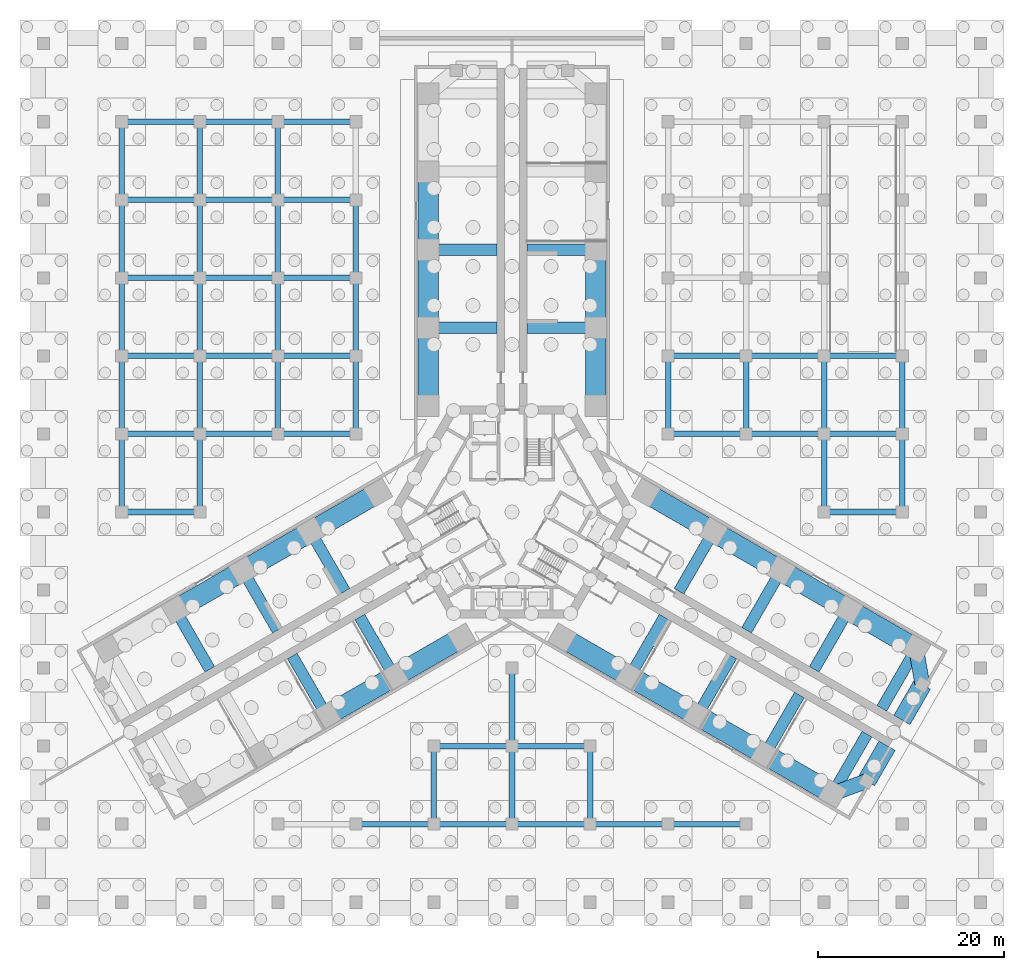
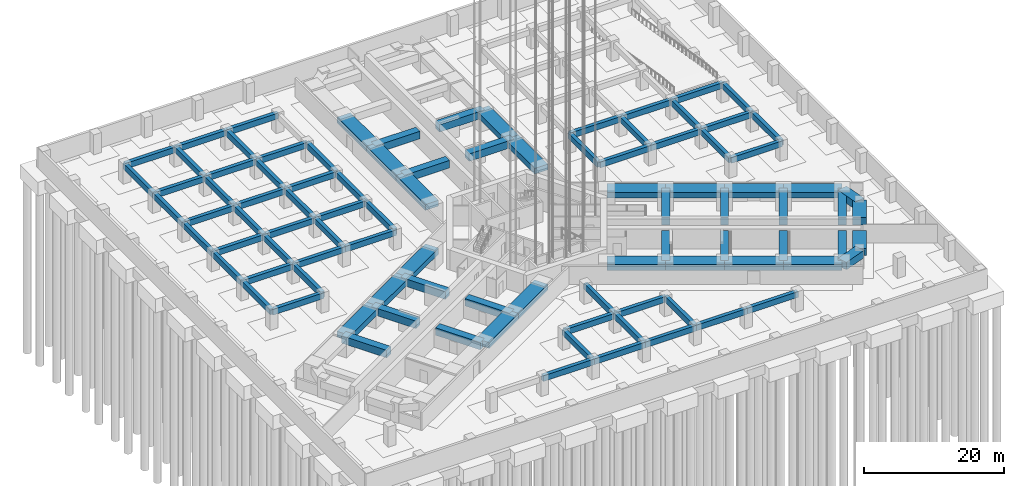
# One storey, part 49 of 73: 96 beams.
"""IFC4 building model written with IfcOpenShell, lengths in metres."""

from ifc_helpers import new_model, si_unit, direction, frame, origin, origin_2d, place, context, subcontext, project, spatial, rectangle, extrude, material, material_profile, profile_set, type_object, element, save


model = new_model("IFC4")

# Units and contexts
model_context = context("Model", 3, precision=1e-05, world=origin(), true_north=direction((0.0, 1.0)))
body_context = subcontext(model_context, "Body", "Model", "MODEL_VIEW")
ifc_project = project(units=[si_unit("LENGTHUNIT", "METRE"), si_unit("AREAUNIT", "SQUARE_METRE"), si_unit("VOLUMEUNIT", "CUBIC_METRE"), si_unit("PLANEANGLEUNIT", "RADIAN"), si_unit("MASSUNIT", "GRAM", prefix="KILO")], contexts=[model_context])

# Site, building, storey
site_placement = place(None, origin())
site = spatial("IfcSite", under=ifc_project, at=site_placement, CompositionType="ELEMENT")
building_placement = place(site_placement, origin())
building = spatial("IfcBuilding", under=site, at=building_placement, Name="Impinga Residences", CompositionType="ELEMENT")
storey_placement = place(building_placement, frame((0.0, 0.0, -10.5)))
storey = spatial("IfcBuildingStorey", under=building, at=storey_placement, Name="B3", CompositionType="ELEMENT", Elevation=-10.5)

# Beams
ifc_material = material(Name="Concrete C60/75", Category="concrete")
ifc_material_profile_1 = material_profile(ifc_material, rectangle(XDim=1.60009765625, YDim=1.300048828125, at=origin_2d()), Name="RC 1600x1300")
ifc_profile_set_1 = profile_set([ifc_material_profile_1], Name="Concrete C60/75")
beam_type_1 = type_object("IfcBeamType", Name="CB4 1600x1300 wing end beam to the wing-tip prop", PredefinedType="BEAM", material=ifc_profile_set_1)
beam_1_placement = place(storey_placement, frame((43.49853515625, -14.721435546875, 2.550048828125), z_axis=(0.170296298948, -0.985392901621, 0.0), x_axis=(0.985392901621, 0.170296298948, 0.0)))
element("IfcBeam", 1, at=beam_1_placement, inside=storey, type_object=beam_type_1, Name="Beam CB4 EB E5-EX level B2", PredefinedType="BEAM", context=body_context, shape_type="SweptSolid", body=[
    extrude(rectangle(XDim=1.60009765625, YDim=1.300048828125, at=origin_2d()), origin(), (0.0, 0.0, 1.0), 3.9052734375),
])
beam_2_placement = place(storey_placement, frame((34.49853515625, -30.31005859375, 2.550048828125), z_axis=(0.938520178725, 0.345224382289, 0.0), x_axis=(-0.345224382289, 0.938520178725, 0.0)))
element("IfcBeam", 2, at=beam_2_placement, inside=storey, type_object=beam_type_1, Name="Beam CB4 EE E5-EX level B2", PredefinedType="BEAM", context=body_context, shape_type="SweptSolid", body=[
    extrude(rectangle(XDim=1.60009765625, YDim=1.300048828125, at=origin_2d()), origin(), (0.0, 0.0, 1.0), 3.905029296875),
])
ifc_material_profile_2 = material_profile(ifc_material, rectangle(XDim=1.199951171875, YDim=1.300048828125, at=origin_2d()), Name="RC 1200x1300")
ifc_profile_set_2 = profile_set([ifc_material_profile_2], Name="Concrete C60/75")
beam_type_2 = type_object("IfcBeamType", Name="CG2 1200x1300 cross girder on a wing bay line", PredefinedType="BEAM", material=ifc_profile_set_2)
for number, where, z_axis, x_axis, name in (
    (3, (-1.60009765625, 19.83154296875, 2.550048828125), (-1.0, 0.0, 0.0), (0.0, -1.0, 0.0), "Beam CG2 N2 NC/NA level B2"),
    (4, (-1.60009765625, 28.2314453125, 2.550048828125), (-1.0, 0.0, 0.0), (0.0, -1.0, 0.0), "Beam CG2 N3 NC/NA level B2"),
    (5, (1.60009765625, 19.83154296875, 2.550048828125), (1.0, 0.0, 0.0), (0.0, 1.0, 0.0), "Beam CG2 N2 NC/NF level B2"),
    (6, (1.60009765625, 28.2314453125, 2.550048828125), (1.0, 0.0, 0.0), (0.0, 1.0, 0.0), "Beam CG2 N3 NC/NF level B2"),
    (7, (-16.37451171875, -11.301513671875, 2.550048828125), (0.500003285667, -0.866023506795, 0.0), (0.866023506795, 0.500003285667, 0.0), "Beam CG2 W2 WC/WA level B2"),
    (8, (-23.649169921875, -15.50146484375, 2.550048828125), (0.500003285667, -0.866023506795, 0.0), (0.866023506795, 0.500003285667, 0.0), "Beam CG2 W3 WC/WA level B2"),
    (9, (-17.974609375, -8.530029296875, 2.550048828125), (-0.500003285667, 0.866023506795, 0.0), (-0.866023506795, -0.500003285667, 0.0), "Beam CG2 W2 WC/WF level B2"),
):
    element("IfcBeam", number, at=place(storey_placement, frame(where, z_axis=z_axis, x_axis=x_axis)), inside=storey, type_object=beam_type_2, Name=name, PredefinedType="BEAM", context=body_context, shape_type="SweptSolid", body=[
        extrude(rectangle(XDim=1.199951171875, YDim=1.300048828125, at=origin_2d()), origin(), (0.0, 0.0, 1.0), 7.39990234375),
    ])
for number, where, z_axis, x_axis, name in (
    (10, (-25.249267578125, -12.730224609375, 2.550048828125), (-0.499988999718, 0.866031754707, 0.0), (-0.866031754707, -0.499988999718, 0.0), "Beam CG2 W3 WC/WF level B2"),
    (11, (-32.52392578125, -16.93017578125, 2.550048828125), (-0.499988999718, 0.866031754707, 0.0), (-0.866031754707, -0.499988999718, 0.0), "Beam CG2 W4 WC/WF level B2"),
):
    element("IfcBeam", number, at=place(storey_placement, frame(where, z_axis=z_axis, x_axis=x_axis)), inside=storey, type_object=beam_type_2, Name=name, PredefinedType="BEAM", context=body_context, shape_type="SweptSolid", body=[
        extrude(rectangle(XDim=1.199951171875, YDim=1.300048828125, at=origin_2d()), origin(), (0.0, 0.0, 1.0), 7.400146484375),
    ])
beam_3_placement = place(storey_placement, frame((17.974609375, -8.530029296875, 2.550048828125), z_axis=(0.500003285667, 0.866023506795, 0.0), x_axis=(-0.866023506795, 0.500003285667, 0.0)))
element("IfcBeam", 12, at=beam_3_placement, inside=storey, type_object=beam_type_2, Name="Beam CG2 E2 EC/EA level B2", PredefinedType="BEAM", context=body_context, shape_type="SweptSolid", body=[
    extrude(rectangle(XDim=1.199951171875, YDim=1.300048828125, at=origin_2d()), origin(), (0.0, 0.0, 1.0), 7.39990234375),
])
for number, where, z_axis, x_axis, name in (
    (13, (25.249267578125, -12.730224609375, 2.550048828125), (0.499988999718, 0.866031754707, 0.0), (-0.866031754707, 0.499988999718, 0.0), "Beam CG2 E3 EC/EA level B2"),
    (14, (32.52392578125, -16.93017578125, 2.550048828125), (0.499988999718, 0.866031754707, 0.0), (-0.866031754707, 0.499988999718, 0.0), "Beam CG2 E4 EC/EA level B2"),
    (15, (39.79833984375, -21.130126953125, 2.550048828125), (0.500013743233, 0.86601746898, 0.0), (-0.86601746898, 0.500013743233, 0.0), "Beam CG2 E5 EC/EA level B2"),
):
    element("IfcBeam", number, at=place(storey_placement, frame(where, z_axis=z_axis, x_axis=x_axis)), inside=storey, type_object=beam_type_2, Name=name, PredefinedType="BEAM", context=body_context, shape_type="SweptSolid", body=[
        extrude(rectangle(XDim=1.199951171875, YDim=1.300048828125, at=origin_2d()), origin(), (0.0, 0.0, 1.0), 7.400146484375),
    ])
for number, where, z_axis, x_axis, name in (
    (16, (16.37451171875, -11.301513671875, 2.550048828125), (-0.500003285667, -0.866023506795, 0.0), (0.866023506795, -0.500003285667, 0.0), "Beam CG2 E2 EC/EF level B2"),
    (17, (23.649169921875, -15.50146484375, 2.550048828125), (-0.500003285667, -0.866023506795, 0.0), (0.866023506795, -0.500003285667, 0.0), "Beam CG2 E3 EC/EF level B2"),
):
    element("IfcBeam", number, at=place(storey_placement, frame(where, z_axis=z_axis, x_axis=x_axis)), inside=storey, type_object=beam_type_2, Name=name, PredefinedType="BEAM", context=body_context, shape_type="SweptSolid", body=[
        extrude(rectangle(XDim=1.199951171875, YDim=1.300048828125, at=origin_2d()), origin(), (0.0, 0.0, 1.0), 7.39990234375),
    ])
for number, where, z_axis, x_axis, name in (
    (18, (30.923828125, -19.701416015625, 2.550048828125), (-0.499988999718, -0.866031754707, 0.0), (0.866031754707, -0.499988999718, 0.0), "Beam CG2 E4 EC/EF level B2"),
    (19, (38.198486328125, -23.9013671875, 2.550048828125), (-0.499988999718, -0.866031754707, 0.0), (0.866031754707, -0.499988999718, 0.0), "Beam CG2 E5 EC/EF level B2"),
):
    element("IfcBeam", number, at=place(storey_placement, frame(where, z_axis=z_axis, x_axis=x_axis)), inside=storey, type_object=beam_type_2, Name=name, PredefinedType="BEAM", context=body_context, shape_type="SweptSolid", body=[
        extrude(rectangle(XDim=1.199951171875, YDim=1.300048828125, at=origin_2d()), origin(), (0.0, 0.0, 1.0), 7.400146484375),
    ])
ifc_material_profile_3 = material_profile(ifc_material, rectangle(XDim=2.0, YDim=1.300048828125, at=origin_2d()), Name="RC 2000x1300")
ifc_profile_set_3 = profile_set([ifc_material_profile_3], Name="Concrete C60/75")
beam_type_3 = type_object("IfcBeamType", Name="EB4 2000x1300 wing end beam", PredefinedType="BEAM", material=ifc_profile_set_3)
for number, where, z_axis, x_axis, name in (
    (20, (44.16357421875, -18.569580078125, 2.550048828125), (-0.499988222896, -0.866032203192, 0.0), (0.866032203192, -0.499988222896, 0.0), "Beam EB4 EX4 level B2"),
    (21, (40.363525390625, -25.1513671875, 2.550048828125), (-0.499988222896, -0.866032203192, 0.0), (0.866032203192, -0.499988222896, 0.0), "Beam EB4 EX4 level B2"),
):
    element("IfcBeam", number, at=place(storey_placement, frame(where, z_axis=z_axis, x_axis=x_axis)), inside=storey, type_object=beam_type_3, Name=name, PredefinedType="BEAM", context=body_context, shape_type="SweptSolid", body=[
        extrude(rectangle(XDim=2.0, YDim=1.300048828125, at=origin_2d()), origin(), (0.0, 0.0, 1.0), 4.39990234375),
    ])
ifc_material_profile_4 = material_profile(ifc_material, rectangle(XDim=0.60009765625, YDim=1.0, at=origin_2d()), Name="RC 600x1000")
ifc_profile_set_4 = profile_set([ifc_material_profile_4], Name="Concrete C60/75")
beam_type_4 = type_object("IfcBeamType", Name="PB1 600x1000 basement and ground floor beam", PredefinedType="BEAM", material=ifc_profile_set_4)
beam_4_placement = place(storey_placement, frame((-16.800048828125, -33.60009765625, 2.699951171875), z_axis=(1.0, 0.0, 0.0), x_axis=(0.0, 1.0, 0.0)))
element("IfcBeam", 22, at=beam_4_placement, inside=storey, type_object=beam_type_4, Name="Beam PB1 B/5-6 level B2", PredefinedType="BEAM", context=body_context, shape_type="SweptSolid", body=[
    extrude(rectangle(XDim=0.60009765625, YDim=1.0, at=origin_2d()), origin(), (0.0, 0.0, 1.0), 8.400146484375),
])
for number, where, z_axis, x_axis, name in (
    (23, (-8.39990234375, -33.60009765625, 2.699951171875), (1.0, 0.0, 0.0), (0.0, 1.0, 0.0), "Beam PB1 B/6-7 level B2"),
    (24, (0.0, -33.60009765625, 2.699951171875), (1.0, 0.0, 0.0), (0.0, 1.0, 0.0), "Beam PB1 B/7-8 level B2"),
):
    element("IfcBeam", number, at=place(storey_placement, frame(where, z_axis=z_axis, x_axis=x_axis)), inside=storey, type_object=beam_type_4, Name=name, PredefinedType="BEAM", context=body_context, shape_type="SweptSolid", body=[
        extrude(rectangle(XDim=0.60009765625, YDim=1.0, at=origin_2d()), origin(), (0.0, 0.0, 1.0), 8.39990234375),
    ])
beam_5_placement = place(storey_placement, frame((8.39990234375, -33.60009765625, 2.699951171875), z_axis=(1.0, 0.0, 0.0), x_axis=(0.0, 1.0, 0.0)))
element("IfcBeam", 25, at=beam_5_placement, inside=storey, type_object=beam_type_4, Name="Beam PB1 B/8-9 level B2", PredefinedType="BEAM", context=body_context, shape_type="SweptSolid", body=[
    extrude(rectangle(XDim=0.60009765625, YDim=1.0, at=origin_2d()), origin(), (0.0, 0.0, 1.0), 8.400146484375),
])
for number, where, z_axis, x_axis, name in (
    (26, (16.800048828125, -33.60009765625, 2.699951171875), (1.0, 0.0, 0.0), (0.0, 1.0, 0.0), "Beam PB1 B/9-10 level B2"),
    (27, (-8.39990234375, -25.199951171875, 2.699951171875), (1.0, 0.0, 0.0), (0.0, 1.0, 0.0), "Beam PB1 C/6-7 level B2"),
    (28, (0.0, -25.199951171875, 2.699951171875), (1.0, 0.0, 0.0), (0.0, 1.0, 0.0), "Beam PB1 C/7-8 level B2"),
    (29, (-42.0, 0.0, 2.699951171875), (1.0, 0.0, 0.0), (0.0, 1.0, 0.0), "Beam PB1 F/2-3 level B2"),
    (30, (33.60009765625, 0.0, 2.699951171875), (1.0, 0.0, 0.0), (0.0, 1.0, 0.0), "Beam PB1 F/11-12 level B2"),
    (31, (-42.0, 8.39990234375, 2.699951171875), (1.0, 0.0, 0.0), (0.0, 1.0, 0.0), "Beam PB1 G/2-3 level B2"),
):
    element("IfcBeam", number, at=place(storey_placement, frame(where, z_axis=z_axis, x_axis=x_axis)), inside=storey, type_object=beam_type_4, Name=name, PredefinedType="BEAM", context=body_context, shape_type="SweptSolid", body=[
        extrude(rectangle(XDim=0.60009765625, YDim=1.0, at=origin_2d()), origin(), (0.0, 0.0, 1.0), 8.39990234375),
    ])
beam_6_placement = place(storey_placement, frame((-33.60009765625, 8.39990234375, 2.699951171875), z_axis=(1.0, 0.0, 0.0), x_axis=(0.0, 1.0, 0.0)))
element("IfcBeam", 32, at=beam_6_placement, inside=storey, type_object=beam_type_4, Name="Beam PB1 G/3-4 level B2", PredefinedType="BEAM", context=body_context, shape_type="SweptSolid", body=[
    extrude(rectangle(XDim=0.60009765625, YDim=1.0, at=origin_2d()), origin(), (0.0, 0.0, 1.0), 8.400146484375),
])
for number, where, z_axis, x_axis, name in (
    (33, (-25.199951171875, 8.39990234375, 2.699951171875), (1.0, 0.0, 0.0), (0.0, 1.0, 0.0), "Beam PB1 G/4-5 level B2"),
    (34, (16.800048828125, 8.39990234375, 2.699951171875), (1.0, 0.0, 0.0), (0.0, 1.0, 0.0), "Beam PB1 G/9-10 level B2"),
):
    element("IfcBeam", number, at=place(storey_placement, frame(where, z_axis=z_axis, x_axis=x_axis)), inside=storey, type_object=beam_type_4, Name=name, PredefinedType="BEAM", context=body_context, shape_type="SweptSolid", body=[
        extrude(rectangle(XDim=0.60009765625, YDim=1.0, at=origin_2d()), origin(), (0.0, 0.0, 1.0), 8.39990234375),
    ])
beam_7_placement = place(storey_placement, frame((25.199951171875, 8.39990234375, 2.699951171875), z_axis=(1.0, 0.0, 0.0), x_axis=(0.0, 1.0, 0.0)))
element("IfcBeam", 35, at=beam_7_placement, inside=storey, type_object=beam_type_4, Name="Beam PB1 G/10-11 level B2", PredefinedType="BEAM", context=body_context, shape_type="SweptSolid", body=[
    extrude(rectangle(XDim=0.60009765625, YDim=1.0, at=origin_2d()), origin(), (0.0, 0.0, 1.0), 8.400146484375),
])
for number, where, z_axis, x_axis, name in (
    (36, (33.60009765625, 8.39990234375, 2.699951171875), (1.0, 0.0, 0.0), (0.0, 1.0, 0.0), "Beam PB1 G/11-12 level B2"),
    (37, (-42.0, 16.800048828125, 2.699951171875), (1.0, 0.0, 0.0), (0.0, 1.0, 0.0), "Beam PB1 H/2-3 level B2"),
):
    element("IfcBeam", number, at=place(storey_placement, frame(where, z_axis=z_axis, x_axis=x_axis)), inside=storey, type_object=beam_type_4, Name=name, PredefinedType="BEAM", context=body_context, shape_type="SweptSolid", body=[
        extrude(rectangle(XDim=0.60009765625, YDim=1.0, at=origin_2d()), origin(), (0.0, 0.0, 1.0), 8.39990234375),
    ])
beam_8_placement = place(storey_placement, frame((-33.60009765625, 16.800048828125, 2.699951171875), z_axis=(1.0, 0.0, 0.0), x_axis=(0.0, 1.0, 0.0)))
element("IfcBeam", 38, at=beam_8_placement, inside=storey, type_object=beam_type_4, Name="Beam PB1 H/3-4 level B2", PredefinedType="BEAM", context=body_context, shape_type="SweptSolid", body=[
    extrude(rectangle(XDim=0.60009765625, YDim=1.0, at=origin_2d()), origin(), (0.0, 0.0, 1.0), 8.400146484375),
])
for number, where, z_axis, x_axis, name in (
    (39, (-25.199951171875, 16.800048828125, 2.699951171875), (1.0, 0.0, 0.0), (0.0, 1.0, 0.0), "Beam PB1 H/4-5 level B2"),
    (40, (16.800048828125, 16.800048828125, 2.699951171875), (1.0, 0.0, 0.0), (0.0, 1.0, 0.0), "Beam PB1 H/9-10 level B2"),
):
    element("IfcBeam", number, at=place(storey_placement, frame(where, z_axis=z_axis, x_axis=x_axis)), inside=storey, type_object=beam_type_4, Name=name, PredefinedType="BEAM", context=body_context, shape_type="SweptSolid", body=[
        extrude(rectangle(XDim=0.60009765625, YDim=1.0, at=origin_2d()), origin(), (0.0, 0.0, 1.0), 8.39990234375),
    ])
beam_9_placement = place(storey_placement, frame((25.199951171875, 16.800048828125, 2.699951171875), z_axis=(1.0, 0.0, 0.0), x_axis=(0.0, 1.0, 0.0)))
element("IfcBeam", 41, at=beam_9_placement, inside=storey, type_object=beam_type_4, Name="Beam PB1 H/10-11 level B2", PredefinedType="BEAM", context=body_context, shape_type="SweptSolid", body=[
    extrude(rectangle(XDim=0.60009765625, YDim=1.0, at=origin_2d()), origin(), (0.0, 0.0, 1.0), 8.400146484375),
])
for number, where, z_axis, x_axis, name in (
    (42, (33.60009765625, 16.800048828125, 2.699951171875), (1.0, 0.0, 0.0), (0.0, 1.0, 0.0), "Beam PB1 H/11-12 level B2"),
    (43, (-42.0, 25.199951171875, 2.699951171875), (1.0, 0.0, 0.0), (0.0, 1.0, 0.0), "Beam PB1 J/2-3 level B2"),
):
    element("IfcBeam", number, at=place(storey_placement, frame(where, z_axis=z_axis, x_axis=x_axis)), inside=storey, type_object=beam_type_4, Name=name, PredefinedType="BEAM", context=body_context, shape_type="SweptSolid", body=[
        extrude(rectangle(XDim=0.60009765625, YDim=1.0, at=origin_2d()), origin(), (0.0, 0.0, 1.0), 8.39990234375),
    ])
beam_10_placement = place(storey_placement, frame((-33.60009765625, 25.199951171875, 2.699951171875), z_axis=(1.0, 0.0, 0.0), x_axis=(0.0, 1.0, 0.0)))
element("IfcBeam", 44, at=beam_10_placement, inside=storey, type_object=beam_type_4, Name="Beam PB1 J/3-4 level B2", PredefinedType="BEAM", context=body_context, shape_type="SweptSolid", body=[
    extrude(rectangle(XDim=0.60009765625, YDim=1.0, at=origin_2d()), origin(), (0.0, 0.0, 1.0), 8.400146484375),
])
for number, where, z_axis, x_axis, name in (
    (45, (-25.199951171875, 25.199951171875, 2.699951171875), (1.0, 0.0, 0.0), (0.0, 1.0, 0.0), "Beam PB1 J/4-5 level B2"),
    (46, (-42.0, 33.60009765625, 2.699951171875), (1.0, 0.0, 0.0), (0.0, 1.0, 0.0), "Beam PB1 K/2-3 level B2"),
):
    element("IfcBeam", number, at=place(storey_placement, frame(where, z_axis=z_axis, x_axis=x_axis)), inside=storey, type_object=beam_type_4, Name=name, PredefinedType="BEAM", context=body_context, shape_type="SweptSolid", body=[
        extrude(rectangle(XDim=0.60009765625, YDim=1.0, at=origin_2d()), origin(), (0.0, 0.0, 1.0), 8.39990234375),
    ])
beam_11_placement = place(storey_placement, frame((-33.60009765625, 33.60009765625, 2.699951171875), z_axis=(1.0, 0.0, 0.0), x_axis=(0.0, 1.0, 0.0)))
element("IfcBeam", 47, at=beam_11_placement, inside=storey, type_object=beam_type_4, Name="Beam PB1 K/3-4 level B2", PredefinedType="BEAM", context=body_context, shape_type="SweptSolid", body=[
    extrude(rectangle(XDim=0.60009765625, YDim=1.0, at=origin_2d()), origin(), (0.0, 0.0, 1.0), 8.400146484375),
])
for number, where, z_axis, x_axis, name in (
    (48, (-25.199951171875, 33.60009765625, 2.699951171875), (1.0, 0.0, 0.0), (0.0, 1.0, 0.0), "Beam PB1 K/4-5 level B2"),
    (49, (-42.0, 42.0, 2.699951171875), (1.0, 0.0, 0.0), (0.0, 1.0, 0.0), "Beam PB1 L/2-3 level B2"),
):
    element("IfcBeam", number, at=place(storey_placement, frame(where, z_axis=z_axis, x_axis=x_axis)), inside=storey, type_object=beam_type_4, Name=name, PredefinedType="BEAM", context=body_context, shape_type="SweptSolid", body=[
        extrude(rectangle(XDim=0.60009765625, YDim=1.0, at=origin_2d()), origin(), (0.0, 0.0, 1.0), 8.39990234375),
    ])
beam_12_placement = place(storey_placement, frame((-33.60009765625, 42.0, 2.699951171875), z_axis=(1.0, 0.0, 0.0), x_axis=(0.0, 1.0, 0.0)))
element("IfcBeam", 50, at=beam_12_placement, inside=storey, type_object=beam_type_4, Name="Beam PB1 L/3-4 level B2", PredefinedType="BEAM", context=body_context, shape_type="SweptSolid", body=[
    extrude(rectangle(XDim=0.60009765625, YDim=1.0, at=origin_2d()), origin(), (0.0, 0.0, 1.0), 8.400146484375),
])
for number, where, z_axis, x_axis, name in (
    (51, (-25.199951171875, 42.0, 2.699951171875), (1.0, 0.0, 0.0), (0.0, 1.0, 0.0), "Beam PB1 L/4-5 level B2"),
    (52, (-42.0, 0.0, 2.699951171875), (0.0, 1.0, 0.0), (-1.0, 0.0, 0.0), "Beam PB1 2/F-G level B2"),
):
    element("IfcBeam", number, at=place(storey_placement, frame(where, z_axis=z_axis, x_axis=x_axis)), inside=storey, type_object=beam_type_4, Name=name, PredefinedType="BEAM", context=body_context, shape_type="SweptSolid", body=[
        extrude(rectangle(XDim=0.60009765625, YDim=1.0, at=origin_2d()), origin(), (0.0, 0.0, 1.0), 8.39990234375),
    ])
beam_13_placement = place(storey_placement, frame((-42.0, 8.39990234375, 2.699951171875), z_axis=(0.0, 1.0, 0.0), x_axis=(-1.0, 0.0, 0.0)))
element("IfcBeam", 53, at=beam_13_placement, inside=storey, type_object=beam_type_4, Name="Beam PB1 2/G-H level B2", PredefinedType="BEAM", context=body_context, shape_type="SweptSolid", body=[
    extrude(rectangle(XDim=0.60009765625, YDim=1.0, at=origin_2d()), origin(), (0.0, 0.0, 1.0), 8.400146484375),
])
beam_14_placement = place(storey_placement, frame((-42.0, 16.800048828125, 2.699951171875), z_axis=(0.0, 1.0, 0.0), x_axis=(-1.0, 0.0, 0.0)))
element("IfcBeam", 54, at=beam_14_placement, inside=storey, type_object=beam_type_4, Name="Beam PB1 2/H-J level B2", PredefinedType="BEAM", context=body_context, shape_type="SweptSolid", body=[
    extrude(rectangle(XDim=0.60009765625, YDim=1.0, at=origin_2d()), origin(), (0.0, 0.0, 1.0), 8.39990234375),
])
beam_15_placement = place(storey_placement, frame((-42.0, 25.199951171875, 2.699951171875), z_axis=(0.0, 1.0, 0.0), x_axis=(-1.0, 0.0, 0.0)))
element("IfcBeam", 55, at=beam_15_placement, inside=storey, type_object=beam_type_4, Name="Beam PB1 2/J-K level B2", PredefinedType="BEAM", context=body_context, shape_type="SweptSolid", body=[
    extrude(rectangle(XDim=0.60009765625, YDim=1.0, at=origin_2d()), origin(), (0.0, 0.0, 1.0), 8.400146484375),
])
for number, where, z_axis, x_axis, name in (
    (56, (-42.0, 33.60009765625, 2.699951171875), (0.0, 1.0, 0.0), (-1.0, 0.0, 0.0), "Beam PB1 2/K-L level B2"),
    (57, (-33.60009765625, 0.0, 2.699951171875), (0.0, 1.0, 0.0), (-1.0, 0.0, 0.0), "Beam PB1 3/F-G level B2"),
):
    element("IfcBeam", number, at=place(storey_placement, frame(where, z_axis=z_axis, x_axis=x_axis)), inside=storey, type_object=beam_type_4, Name=name, PredefinedType="BEAM", context=body_context, shape_type="SweptSolid", body=[
        extrude(rectangle(XDim=0.60009765625, YDim=1.0, at=origin_2d()), origin(), (0.0, 0.0, 1.0), 8.39990234375),
    ])
beam_16_placement = place(storey_placement, frame((-33.60009765625, 8.39990234375, 2.699951171875), z_axis=(0.0, 1.0, 0.0), x_axis=(-1.0, 0.0, 0.0)))
element("IfcBeam", 58, at=beam_16_placement, inside=storey, type_object=beam_type_4, Name="Beam PB1 3/G-H level B2", PredefinedType="BEAM", context=body_context, shape_type="SweptSolid", body=[
    extrude(rectangle(XDim=0.60009765625, YDim=1.0, at=origin_2d()), origin(), (0.0, 0.0, 1.0), 8.400146484375),
])
beam_17_placement = place(storey_placement, frame((-33.60009765625, 16.800048828125, 2.699951171875), z_axis=(0.0, 1.0, 0.0), x_axis=(-1.0, 0.0, 0.0)))
element("IfcBeam", 59, at=beam_17_placement, inside=storey, type_object=beam_type_4, Name="Beam PB1 3/H-J level B2", PredefinedType="BEAM", context=body_context, shape_type="SweptSolid", body=[
    extrude(rectangle(XDim=0.60009765625, YDim=1.0, at=origin_2d()), origin(), (0.0, 0.0, 1.0), 8.39990234375),
])
beam_18_placement = place(storey_placement, frame((-33.60009765625, 25.199951171875, 2.699951171875), z_axis=(0.0, 1.0, 0.0), x_axis=(-1.0, 0.0, 0.0)))
element("IfcBeam", 60, at=beam_18_placement, inside=storey, type_object=beam_type_4, Name="Beam PB1 3/J-K level B2", PredefinedType="BEAM", context=body_context, shape_type="SweptSolid", body=[
    extrude(rectangle(XDim=0.60009765625, YDim=1.0, at=origin_2d()), origin(), (0.0, 0.0, 1.0), 8.400146484375),
])
beam_19_placement = place(storey_placement, frame((-33.60009765625, 33.60009765625, 2.699951171875), z_axis=(0.0, 1.0, 0.0), x_axis=(-1.0, 0.0, 0.0)))
element("IfcBeam", 61, at=beam_19_placement, inside=storey, type_object=beam_type_4, Name="Beam PB1 3/K-L level B2", PredefinedType="BEAM", context=body_context, shape_type="SweptSolid", body=[
    extrude(rectangle(XDim=0.60009765625, YDim=1.0, at=origin_2d()), origin(), (0.0, 0.0, 1.0), 8.39990234375),
])
beam_20_placement = place(storey_placement, frame((-25.199951171875, 8.39990234375, 2.699951171875), z_axis=(0.0, 1.0, 0.0), x_axis=(-1.0, 0.0, 0.0)))
element("IfcBeam", 62, at=beam_20_placement, inside=storey, type_object=beam_type_4, Name="Beam PB1 4/G-H level B2", PredefinedType="BEAM", context=body_context, shape_type="SweptSolid", body=[
    extrude(rectangle(XDim=0.60009765625, YDim=1.0, at=origin_2d()), origin(), (0.0, 0.0, 1.0), 8.400146484375),
])
beam_21_placement = place(storey_placement, frame((-25.199951171875, 16.800048828125, 2.699951171875), z_axis=(0.0, 1.0, 0.0), x_axis=(-1.0, 0.0, 0.0)))
element("IfcBeam", 63, at=beam_21_placement, inside=storey, type_object=beam_type_4, Name="Beam PB1 4/H-J level B2", PredefinedType="BEAM", context=body_context, shape_type="SweptSolid", body=[
    extrude(rectangle(XDim=0.60009765625, YDim=1.0, at=origin_2d()), origin(), (0.0, 0.0, 1.0), 8.39990234375),
])
beam_22_placement = place(storey_placement, frame((-25.199951171875, 25.199951171875, 2.699951171875), z_axis=(0.0, 1.0, 0.0), x_axis=(-1.0, 0.0, 0.0)))
element("IfcBeam", 64, at=beam_22_placement, inside=storey, type_object=beam_type_4, Name="Beam PB1 4/J-K level B2", PredefinedType="BEAM", context=body_context, shape_type="SweptSolid", body=[
    extrude(rectangle(XDim=0.60009765625, YDim=1.0, at=origin_2d()), origin(), (0.0, 0.0, 1.0), 8.400146484375),
])
beam_23_placement = place(storey_placement, frame((-25.199951171875, 33.60009765625, 2.699951171875), z_axis=(0.0, 1.0, 0.0), x_axis=(-1.0, 0.0, 0.0)))
element("IfcBeam", 65, at=beam_23_placement, inside=storey, type_object=beam_type_4, Name="Beam PB1 4/K-L level B2", PredefinedType="BEAM", context=body_context, shape_type="SweptSolid", body=[
    extrude(rectangle(XDim=0.60009765625, YDim=1.0, at=origin_2d()), origin(), (0.0, 0.0, 1.0), 8.39990234375),
])
beam_24_placement = place(storey_placement, frame((-16.800048828125, 8.39990234375, 2.699951171875), z_axis=(0.0, 1.0, 0.0), x_axis=(-1.0, 0.0, 0.0)))
element("IfcBeam", 66, at=beam_24_placement, inside=storey, type_object=beam_type_4, Name="Beam PB1 5/G-H level B2", PredefinedType="BEAM", context=body_context, shape_type="SweptSolid", body=[
    extrude(rectangle(XDim=0.60009765625, YDim=1.0, at=origin_2d()), origin(), (0.0, 0.0, 1.0), 8.400146484375),
])
beam_25_placement = place(storey_placement, frame((-16.800048828125, 16.800048828125, 2.699951171875), z_axis=(0.0, 1.0, 0.0), x_axis=(-1.0, 0.0, 0.0)))
element("IfcBeam", 67, at=beam_25_placement, inside=storey, type_object=beam_type_4, Name="Beam PB1 5/H-J level B2", PredefinedType="BEAM", context=body_context, shape_type="SweptSolid", body=[
    extrude(rectangle(XDim=0.60009765625, YDim=1.0, at=origin_2d()), origin(), (0.0, 0.0, 1.0), 8.39990234375),
])
for number, where, z_axis, x_axis, name in (
    (68, (-16.800048828125, 25.199951171875, 2.699951171875), (0.0, 1.0, 0.0), (-1.0, 0.0, 0.0), "Beam PB1 5/J-K level B2"),
    (69, (-8.39990234375, -33.60009765625, 2.699951171875), (0.0, 1.0, 0.0), (-1.0, 0.0, 0.0), "Beam PB1 6/B-C level B2"),
    (70, (0.0, -33.60009765625, 2.699951171875), (0.0, 1.0, 0.0), (-1.0, 0.0, 0.0), "Beam PB1 7/B-C level B2"),
):
    element("IfcBeam", number, at=place(storey_placement, frame(where, z_axis=z_axis, x_axis=x_axis)), inside=storey, type_object=beam_type_4, Name=name, PredefinedType="BEAM", context=body_context, shape_type="SweptSolid", body=[
        extrude(rectangle(XDim=0.60009765625, YDim=1.0, at=origin_2d()), origin(), (0.0, 0.0, 1.0), 8.400146484375),
    ])
beam_26_placement = place(storey_placement, frame((0.0, -25.199951171875, 2.699951171875), z_axis=(0.0, 1.0, 0.0), x_axis=(-1.0, 0.0, 0.0)))
element("IfcBeam", 71, at=beam_26_placement, inside=storey, type_object=beam_type_4, Name="Beam PB1 7/C-D level B2", PredefinedType="BEAM", context=body_context, shape_type="SweptSolid", body=[
    extrude(rectangle(XDim=0.60009765625, YDim=1.0, at=origin_2d()), origin(), (0.0, 0.0, 1.0), 8.39990234375),
])
for number, where, z_axis, x_axis, name in (
    (72, (8.39990234375, -33.60009765625, 2.699951171875), (0.0, 1.0, 0.0), (-1.0, 0.0, 0.0), "Beam PB1 8/B-C level B2"),
    (73, (16.800048828125, 8.39990234375, 2.699951171875), (0.0, 1.0, 0.0), (-1.0, 0.0, 0.0), "Beam PB1 9/G-H level B2"),
    (74, (25.199951171875, 8.39990234375, 2.699951171875), (0.0, 1.0, 0.0), (-1.0, 0.0, 0.0), "Beam PB1 10/G-H level B2"),
):
    element("IfcBeam", number, at=place(storey_placement, frame(where, z_axis=z_axis, x_axis=x_axis)), inside=storey, type_object=beam_type_4, Name=name, PredefinedType="BEAM", context=body_context, shape_type="SweptSolid", body=[
        extrude(rectangle(XDim=0.60009765625, YDim=1.0, at=origin_2d()), origin(), (0.0, 0.0, 1.0), 8.400146484375),
    ])
beam_27_placement = place(storey_placement, frame((33.60009765625, 0.0, 2.699951171875), z_axis=(0.0, 1.0, 0.0), x_axis=(-1.0, 0.0, 0.0)))
element("IfcBeam", 75, at=beam_27_placement, inside=storey, type_object=beam_type_4, Name="Beam PB1 11/F-G level B2", PredefinedType="BEAM", context=body_context, shape_type="SweptSolid", body=[
    extrude(rectangle(XDim=0.60009765625, YDim=1.0, at=origin_2d()), origin(), (0.0, 0.0, 1.0), 8.39990234375),
])
beam_28_placement = place(storey_placement, frame((33.60009765625, 8.39990234375, 2.699951171875), z_axis=(0.0, 1.0, 0.0), x_axis=(-1.0, 0.0, 0.0)))
element("IfcBeam", 76, at=beam_28_placement, inside=storey, type_object=beam_type_4, Name="Beam PB1 11/G-H level B2", PredefinedType="BEAM", context=body_context, shape_type="SweptSolid", body=[
    extrude(rectangle(XDim=0.60009765625, YDim=1.0, at=origin_2d()), origin(), (0.0, 0.0, 1.0), 8.400146484375),
])
beam_29_placement = place(storey_placement, frame((42.0, 0.0, 2.699951171875), z_axis=(0.0, 1.0, 0.0), x_axis=(-1.0, 0.0, 0.0)))
element("IfcBeam", 77, at=beam_29_placement, inside=storey, type_object=beam_type_4, Name="Beam PB1 12/F-G level B2", PredefinedType="BEAM", context=body_context, shape_type="SweptSolid", body=[
    extrude(rectangle(XDim=0.60009765625, YDim=1.0, at=origin_2d()), origin(), (0.0, 0.0, 1.0), 8.39990234375),
])
beam_30_placement = place(storey_placement, frame((42.0, 8.39990234375, 2.699951171875), z_axis=(0.0, 1.0, 0.0), x_axis=(-1.0, 0.0, 0.0)))
element("IfcBeam", 78, at=beam_30_placement, inside=storey, type_object=beam_type_4, Name="Beam PB1 12/G-H level B2", PredefinedType="BEAM", context=body_context, shape_type="SweptSolid", body=[
    extrude(rectangle(XDim=0.60009765625, YDim=1.0, at=origin_2d()), origin(), (0.0, 0.0, 1.0), 8.400146484375),
])
ifc_material_profile_5 = material_profile(ifc_material, rectangle(XDim=2.199951171875, YDim=1.0, at=origin_2d()), Name="RC 2200x1000")
ifc_profile_set_5 = profile_set([ifc_material_profile_5], Name="Concrete C60/75")
beam_type_5 = type_object("IfcBeamType", Name="PB3 2200x1000 podium band beam", PredefinedType="BEAM", material=ifc_profile_set_5)
for number, where, z_axis, x_axis, name in (
    (79, (-9.0, 11.431640625, 2.699951171875), (0.0, 1.0, 0.0), (-1.0, 0.0, 0.0), "Beam PB3 NA N1-N2 level B2"),
    (80, (-9.0, 19.83154296875, 2.699951171875), (0.0, 1.0, 0.0), (-1.0, 0.0, 0.0), "Beam PB3 NA N2-N3 level B2"),
):
    element("IfcBeam", number, at=place(storey_placement, frame(where, z_axis=z_axis, x_axis=x_axis)), inside=storey, type_object=beam_type_5, Name=name, PredefinedType="BEAM", context=body_context, shape_type="SweptSolid", body=[
        extrude(rectangle(XDim=2.199951171875, YDim=1.0, at=origin_2d()), origin(), (0.0, 0.0, 1.0), 8.39990234375),
    ])
beam_31_placement = place(storey_placement, frame((-9.0, 28.2314453125, 2.699951171875), z_axis=(0.0, 1.0, 0.0), x_axis=(-1.0, 0.0, 0.0)))
element("IfcBeam", 81, at=beam_31_placement, inside=storey, type_object=beam_type_5, Name="Beam PB3 NA N3-N4 level B2", PredefinedType="BEAM", context=body_context, shape_type="SweptSolid", body=[
    extrude(rectangle(XDim=2.199951171875, YDim=1.0, at=origin_2d()), origin(), (0.0, 0.0, 1.0), 8.400146484375),
])
for number, where, z_axis, x_axis, name in (
    (82, (9.0, 11.431640625, 2.699951171875), (0.0, 1.0, 0.0), (-1.0, 0.0, 0.0), "Beam PB3 NF N1-N2 level B2"),
    (83, (9.0, 19.83154296875, 2.699951171875), (0.0, 1.0, 0.0), (-1.0, 0.0, 0.0), "Beam PB3 NF N2-N3 level B2"),
    (84, (-5.39990234375, -13.510009765625, 2.699951171875), (-0.86602925447, -0.499993330357, 0.0), (0.499993330357, -0.86602925447, 0.0), "Beam PB3 WA W1-W2 level B2"),
    (85, (-12.674560546875, -17.7099609375, 2.699951171875), (-0.86602925447, -0.499993330357, 0.0), (0.499993330357, -0.86602925447, 0.0), "Beam PB3 WA W2-W3 level B2"),
    (86, (-14.39990234375, 2.078369140625, 2.699951171875), (-0.86602925447, -0.499993330357, 0.0), (0.499993330357, -0.86602925447, 0.0), "Beam PB3 WF W1-W2 level B2"),
    (87, (-21.674560546875, -2.12158203125, 2.699951171875), (-0.86602925447, -0.499993330357, 0.0), (0.499993330357, -0.86602925447, 0.0), "Beam PB3 WF W2-W3 level B2"),
    (88, (-28.94921875, -6.321533203125, 2.699951171875), (-0.86602925447, -0.499993330357, 0.0), (0.499993330357, -0.86602925447, 0.0), "Beam PB3 WF W3-W4 level B2"),
    (89, (14.39990234375, 2.078369140625, 2.699951171875), (0.86602925447, -0.499993330357, 0.0), (0.499993330357, 0.86602925447, 0.0), "Beam PB3 EA E1-E2 level B2"),
    (90, (21.674560546875, -2.12158203125, 2.699951171875), (0.86602925447, -0.499993330357, 0.0), (0.499993330357, 0.86602925447, 0.0), "Beam PB3 EA E2-E3 level B2"),
    (91, (28.94921875, -6.321533203125, 2.699951171875), (0.86602925447, -0.499993330357, 0.0), (0.499993330357, 0.86602925447, 0.0), "Beam PB3 EA E3-E4 level B2"),
    (92, (36.223876953125, -10.521484375, 2.699951171875), (0.86602925447, -0.499993330357, 0.0), (0.499993330357, 0.86602925447, 0.0), "Beam PB3 EA E4-E5 level B2"),
    (93, (5.39990234375, -13.510009765625, 2.699951171875), (0.86602925447, -0.499993330357, 0.0), (0.499993330357, 0.86602925447, 0.0), "Beam PB3 EF E1-E2 level B2"),
    (94, (12.674560546875, -17.7099609375, 2.699951171875), (0.86602925447, -0.499993330357, 0.0), (0.499993330357, 0.86602925447, 0.0), "Beam PB3 EF E2-E3 level B2"),
):
    element("IfcBeam", number, at=place(storey_placement, frame(where, z_axis=z_axis, x_axis=x_axis)), inside=storey, type_object=beam_type_5, Name=name, PredefinedType="BEAM", context=body_context, shape_type="SweptSolid", body=[
        extrude(rectangle(XDim=2.199951171875, YDim=1.0, at=origin_2d()), origin(), (0.0, 0.0, 1.0), 8.39990234375),
    ])
beam_32_placement = place(storey_placement, frame((19.94921875, -21.909912109375, 2.699951171875), z_axis=(0.866016669275, -0.500015128309, 0.0), x_axis=(0.500015128309, 0.866016669275, 0.0)))
element("IfcBeam", 95, at=beam_32_placement, inside=storey, type_object=beam_type_5, Name="Beam PB3 EF E3-E4 level B2", PredefinedType="BEAM", context=body_context, shape_type="SweptSolid", body=[
    extrude(rectangle(XDim=2.199951171875, YDim=1.0, at=origin_2d()), origin(), (0.0, 0.0, 1.0), 8.400146484375),
])
beam_33_placement = place(storey_placement, frame((27.223876953125, -26.110107421875, 2.699951171875), z_axis=(0.86602925447, -0.499993330357, 0.0), x_axis=(0.499993330357, 0.86602925447, 0.0)))
element("IfcBeam", 96, at=beam_33_placement, inside=storey, type_object=beam_type_5, Name="Beam PB3 EF E4-E5 level B2", PredefinedType="BEAM", context=body_context, shape_type="SweptSolid", body=[
    extrude(rectangle(XDim=2.199951171875, YDim=1.0, at=origin_2d()), origin(), (0.0, 0.0, 1.0), 8.39990234375),
])

save(model, "model.ifc")
